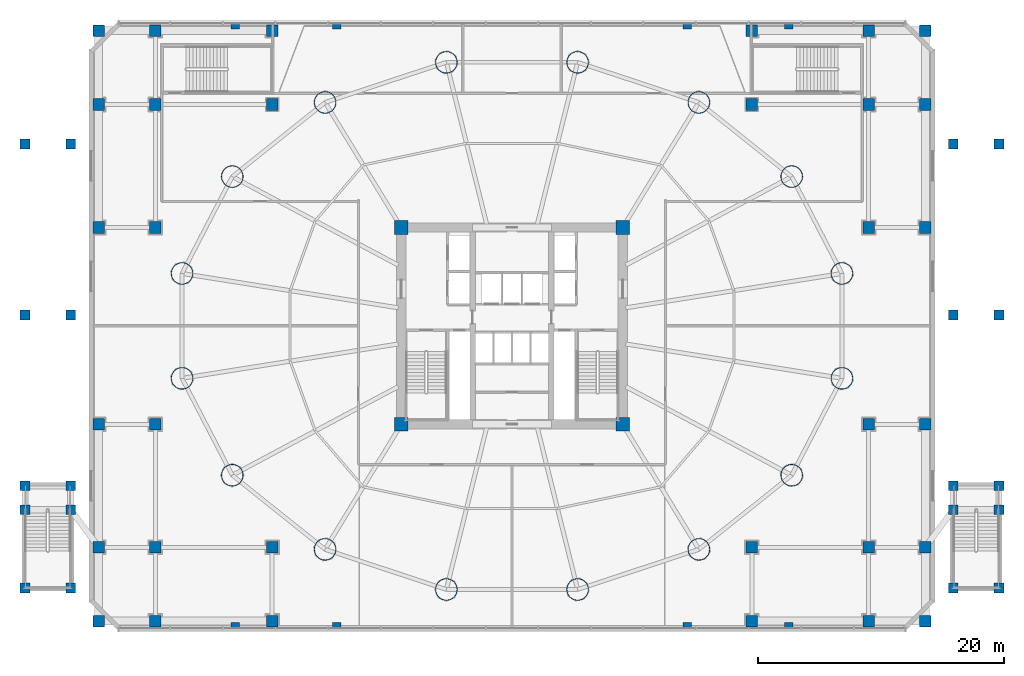
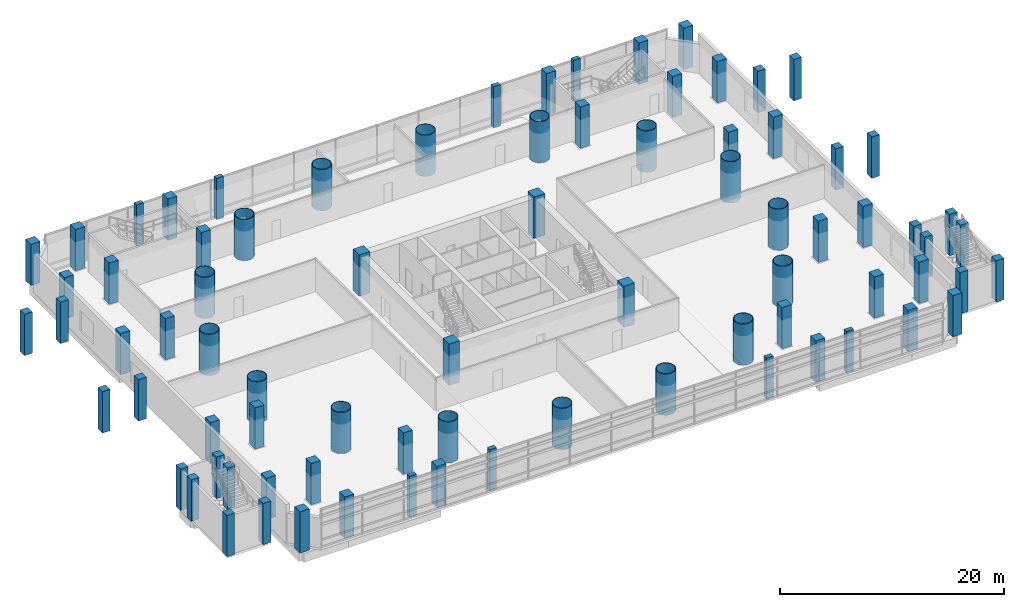
# One storey, part 1 of 36: 80 columns.
"""IFC4 building model written with IfcOpenShell, lengths in metres."""

from ifc_helpers import new_model, si_unit, direction, frame, origin, origin_2d, place, context, subcontext, project, spatial, rectangle, hollow_circle, extrude, material, material_profile, profile_set, type_object, element, save


model = new_model("IFC4")

# Units and contexts
model_context = context("Model", 3, precision=1e-05, world=origin(), true_north=direction((-0.2419218956, 0.970295726276)))
body_context = subcontext(model_context, "Body", "Model", "MODEL_VIEW")
ifc_project = project(units=[si_unit("LENGTHUNIT", "METRE"), si_unit("AREAUNIT", "SQUARE_METRE"), si_unit("VOLUMEUNIT", "CUBIC_METRE"), si_unit("PLANEANGLEUNIT", "RADIAN"), si_unit("MASSUNIT", "GRAM", prefix="KILO")], contexts=[model_context])

# Site, building, storey
site_placement = place(None, origin())
site = spatial("IfcSite", under=ifc_project, at=site_placement, CompositionType="ELEMENT")
building_placement = place(site_placement, origin())
building = spatial("IfcBuilding", under=site, at=building_placement, Name="Cobrevalo Terracotta Tower", CompositionType="ELEMENT")
storey_placement = place(building_placement, frame((0.0, 0.0, 5.39990234375)))
storey = spatial("IfcBuildingStorey", under=building, at=storey_placement, Name="L01", CompositionType="ELEMENT", Elevation=5.39990234375)

# Columns
ifc_material_1 = material(Name="Steel S355", Category="steel")
ifc_material_profile_1 = material_profile(ifc_material_1, hollow_circle(Radius=0.89990234375, WallThickness=0.054931640625, at=origin_2d()), Name="CHS 1800x55")
ifc_profile_set_1 = profile_set([ifc_material_profile_1], Name="Steel S355")
column_type_1 = type_object("IfcColumnType", Name="Structural Column CHS 1800x55 (Steel S355)", PredefinedType="COLUMN", material=ifc_profile_set_1)
for number, where, z_axis, x_axis, name in (
    (1, (64.824462890625, 31.062744140625, 0.0), (0.0, 0.0, 1.0), (1.0, 0.0, 0.0), "L01 composite megacolumn MC01"),
    (2, (60.74072265625, 38.939208984375, 0.0), (0.0, 0.0, 1.0), (1.0, 0.0, 0.0), "L01 composite megacolumn MC02"),
    (3, (53.19482421875, 44.967529296875, 0.0), (0.0, 0.0, 1.0), (1.0, 0.0, 0.0), "L01 composite megacolumn MC03"),
    (4, (43.335693359375, 48.230224609375, 0.0), (0.0, 0.0, 1.0), (1.0, 0.0, 0.0), "L01 composite megacolumn MC04"),
    (5, (32.664306640625, 48.230224609375, 0.0), (0.0, 0.0, 1.0), (1.0, 0.0, 0.0), "L01 composite megacolumn MC05"),
    (6, (22.80517578125, 44.967529296875, 0.0), (0.0, 0.0, 1.0), (1.0, 0.0, 0.0), "L01 composite megacolumn MC06"),
    (7, (15.25927734375, 38.939208984375, 0.0), (0.0, 0.0, 1.0), (1.0, 0.0, 0.0), "L01 composite megacolumn MC07"),
    (8, (11.175537109375, 31.062744140625, 0.0), (0.0, 0.0, 1.0), (1.0, 0.0, 0.0), "L01 composite megacolumn MC08"),
    (9, (11.175537109375, 22.537353515625, 0.0), (0.0, 0.0, 1.0), (1.0, 0.0, 0.0), "L01 composite megacolumn MC09"),
    (10, (15.25927734375, 14.660888671875, 0.0), (0.0, 0.0, 1.0), (1.0, 0.0, 0.0), "L01 composite megacolumn MC10"),
    (11, (22.80517578125, 8.63232421875, 0.0), (0.0, 0.0, 1.0), (1.0, 0.0, 0.0), "L01 composite megacolumn MC11"),
    (12, (32.664306640625, 5.369873046875, 0.0), (0.0, 0.0, 1.0), (1.0, 0.0, 0.0), "L01 composite megacolumn MC12"),
    (13, (43.335693359375, 5.369873046875, 0.0), (0.0, 0.0, 1.0), (1.0, 0.0, 0.0), "L01 composite megacolumn MC13"),
    (14, (53.19482421875, 8.63232421875, 0.0), (0.0, 0.0, 1.0), (1.0, 0.0, 0.0), "L01 composite megacolumn MC14"),
    (15, (60.74072265625, 14.660888671875, 0.0), (0.0, 0.0, 1.0), (1.0, 0.0, 0.0), "L01 composite megacolumn MC15"),
    (16, (64.824462890625, 22.537353515625, 0.0), (0.0, 0.0, 1.0), (1.0, 0.0, 0.0), "L01 composite megacolumn MC16"),
):
    element("IfcColumn", number, at=place(storey_placement, frame(where, z_axis=z_axis, x_axis=x_axis)), inside=storey, type_object=column_type_1, Name=name, PredefinedType="COLUMN", context=body_context, shape_type="SweptSolid", body=[
        extrude(hollow_circle(Radius=0.89990234375, WallThickness=0.054931640625, at=origin_2d()), origin(), (0.0, 0.0, 1.0), 4.5),
    ])
ifc_material_2 = material(Name="Concrete C60", Category="concrete")
ifc_material_profile_2 = material_profile(ifc_material_2, rectangle(XDim=1.10009765625, YDim=1.10009765625, at=origin_2d()), Name="RC COL 1100x1100")
ifc_profile_set_2 = profile_set([ifc_material_profile_2], Name="Concrete C60")
column_type_2 = type_object("IfcColumnType", Name="Structural Column RC COL 1100x1100 (Concrete C60)", PredefinedType="COLUMN", material=ifc_profile_set_2)
for number, where, z_axis, x_axis, name in (
    (17, (29.0, 18.800048828125, 0.0), (0.0, 0.0, 1.0), (1.0, 0.0, 0.0), "L01 core corner column CC1"),
    (18, (47.0, 18.800048828125, 0.0), (0.0, 0.0, 1.0), (1.0, 0.0, 0.0), "L01 core corner column CC2"),
    (19, (47.0, 34.800048828125, 0.0), (0.0, 0.0, 1.0), (1.0, 0.0, 0.0), "L01 core corner column CC3"),
    (20, (29.0, 34.800048828125, 0.0), (0.0, 0.0, 1.0), (1.0, 0.0, 0.0), "L01 core corner column CC4"),
):
    element("IfcColumn", number, at=place(storey_placement, frame(where, z_axis=z_axis, x_axis=x_axis)), inside=storey, type_object=column_type_2, Name=name, PredefinedType="COLUMN", context=body_context, shape_type="SweptSolid", body=[
        extrude(rectangle(XDim=1.10009765625, YDim=1.10009765625, at=origin_2d()), origin(), (0.0, 0.0, 1.0), 4.5),
    ])
ifc_material_3 = material(Name="Concrete C50", Category="concrete")
ifc_material_profile_3 = material_profile(ifc_material_3, rectangle(XDim=0.800048828125, YDim=0.800048828125, at=origin_2d()), Name="RC COL 800x800")
ifc_profile_set_3 = profile_set([ifc_material_profile_3], Name="Concrete C50")
column_type_3 = type_object("IfcColumnType", Name="Structural Column RC COL 800x800 (Concrete C50)", PredefinedType="COLUMN", material=ifc_profile_set_3)
for number, where, z_axis, x_axis, name in (
    (21, (-1.60009765625, 5.5, 0.0), (0.0, 0.0, 1.0), (1.0, 0.0, 0.0), "L01 garden wing column W11"),
    (22, (2.1201171875, 5.5, 0.0), (0.0, 0.0, 1.0), (1.0, 0.0, 0.0), "L01 garden wing column W21"),
    (23, (-1.60009765625, 11.85009765625, 0.0), (0.0, 0.0, 1.0), (1.0, 0.0, 0.0), "L01 garden wing column W12"),
    (24, (2.1201171875, 11.85009765625, 0.0), (0.0, 0.0, 1.0), (1.0, 0.0, 0.0), "L01 garden wing column W22"),
    (25, (-1.60009765625, 13.800048828125, 0.0), (0.0, 0.0, 1.0), (1.0, 0.0, 0.0), "L01 garden wing column W13"),
    (26, (2.1201171875, 13.800048828125, 0.0), (0.0, 0.0, 1.0), (1.0, 0.0, 0.0), "L01 garden wing column W23"),
    (27, (-1.60009765625, 27.699951171875, 0.0), (0.0, 0.0, 1.0), (1.0, 0.0, 0.0), "L01 garden wing column W14"),
    (28, (2.1201171875, 27.699951171875, 0.0), (0.0, 0.0, 1.0), (1.0, 0.0, 0.0), "L01 garden wing column W24"),
    (29, (-1.60009765625, 41.60009765625, 0.0), (0.0, 0.0, 1.0), (1.0, 0.0, 0.0), "L01 garden wing column W15"),
    (30, (2.1201171875, 41.60009765625, 0.0), (0.0, 0.0, 1.0), (1.0, 0.0, 0.0), "L01 garden wing column W25"),
    (31, (73.8798828125, 5.5, 0.0), (0.0, 0.0, 1.0), (1.0, 0.0, 0.0), "L01 garden wing column E11"),
    (32, (77.60009765625, 5.5, 0.0), (0.0, 0.0, 1.0), (1.0, 0.0, 0.0), "L01 garden wing column E21"),
    (33, (73.8798828125, 11.85009765625, 0.0), (0.0, 0.0, 1.0), (1.0, 0.0, 0.0), "L01 garden wing column E12"),
    (34, (77.60009765625, 11.85009765625, 0.0), (0.0, 0.0, 1.0), (1.0, 0.0, 0.0), "L01 garden wing column E22"),
    (35, (73.8798828125, 13.800048828125, 0.0), (0.0, 0.0, 1.0), (1.0, 0.0, 0.0), "L01 garden wing column E13"),
    (36, (77.60009765625, 13.800048828125, 0.0), (0.0, 0.0, 1.0), (1.0, 0.0, 0.0), "L01 garden wing column E23"),
    (37, (73.8798828125, 27.699951171875, 0.0), (0.0, 0.0, 1.0), (1.0, 0.0, 0.0), "L01 garden wing column E14"),
    (38, (77.60009765625, 27.699951171875, 0.0), (0.0, 0.0, 1.0), (1.0, 0.0, 0.0), "L01 garden wing column E24"),
    (39, (73.8798828125, 41.60009765625, 0.0), (0.0, 0.0, 1.0), (1.0, 0.0, 0.0), "L01 garden wing column E15"),
    (40, (77.60009765625, 41.60009765625, 0.0), (0.0, 0.0, 1.0), (1.0, 0.0, 0.0), "L01 garden wing column E25"),
):
    element("IfcColumn", number, at=place(storey_placement, frame(where, z_axis=z_axis, x_axis=x_axis)), inside=storey, type_object=column_type_3, Name=name, PredefinedType="COLUMN", context=body_context, shape_type="SweptSolid", body=[
        extrude(rectangle(XDim=0.800048828125, YDim=0.800048828125, at=origin_2d()), origin(), (0.0, 0.0, 1.0), 4.5),
    ])
ifc_material_4 = material(Name="Concrete C55", Category="concrete")
ifc_material_profile_4 = material_profile(ifc_material_4, rectangle(XDim=0.949951171875, YDim=0.949951171875, at=origin_2d()), Name="RC COL 950x950")
ifc_profile_set_4 = profile_set([ifc_material_profile_4], Name="Concrete C55")
column_type_4 = type_object("IfcColumnType", Name="Structural Column RC COL 950x950 (Concrete C55)", PredefinedType="COLUMN", material=ifc_profile_set_4)
for number, where, z_axis, x_axis, name in (
    (41, (4.39990234375, 2.800048828125, 0.0), (0.0, 0.0, 1.0), (1.0, 0.0, 0.0), "L01 podium column G1-GA"),
    (42, (4.39990234375, 8.800048828125, 0.0), (0.0, 0.0, 1.0), (1.0, 0.0, 0.0), "L01 podium column G1-GB"),
    (43, (4.39990234375, 18.800048828125, 0.0), (0.0, 0.0, 1.0), (1.0, 0.0, 0.0), "L01 podium column G1-GC"),
    (44, (4.39990234375, 34.800048828125, 0.0), (0.0, 0.0, 1.0), (1.0, 0.0, 0.0), "L01 podium column G1-GE"),
    (45, (4.39990234375, 44.800048828125, 0.0), (0.0, 0.0, 1.0), (1.0, 0.0, 0.0), "L01 podium column G1-GF"),
    (46, (4.39990234375, 50.800048828125, 0.0), (0.0, 0.0, 1.0), (1.0, 0.0, 0.0), "L01 podium column G1-GG"),
    (47, (9.0, 2.800048828125, 0.0), (0.0, 0.0, 1.0), (1.0, 0.0, 0.0), "L01 podium column G2-GA"),
    (48, (9.0, 8.800048828125, 0.0), (0.0, 0.0, 1.0), (1.0, 0.0, 0.0), "L01 podium column G2-GB"),
    (49, (9.0, 18.800048828125, 0.0), (0.0, 0.0, 1.0), (1.0, 0.0, 0.0), "L01 podium column G2-GC"),
    (50, (9.0, 34.800048828125, 0.0), (0.0, 0.0, 1.0), (1.0, 0.0, 0.0), "L01 podium column G2-GE"),
    (51, (9.0, 44.800048828125, 0.0), (0.0, 0.0, 1.0), (1.0, 0.0, 0.0), "L01 podium column G2-GF"),
    (52, (9.0, 50.800048828125, 0.0), (0.0, 0.0, 1.0), (1.0, 0.0, 0.0), "L01 podium column G2-GG"),
    (53, (18.5, 2.800048828125, 0.0), (0.0, 0.0, 1.0), (1.0, 0.0, 0.0), "L01 podium column G3-GA"),
    (54, (18.5, 8.800048828125, 0.0), (0.0, 0.0, 1.0), (1.0, 0.0, 0.0), "L01 podium column G3-GB"),
    (55, (18.5, 44.800048828125, 0.0), (0.0, 0.0, 1.0), (1.0, 0.0, 0.0), "L01 podium column G3-GF"),
    (56, (18.5, 50.800048828125, 0.0), (0.0, 0.0, 1.0), (1.0, 0.0, 0.0), "L01 podium column G3-GG"),
    (57, (57.5, 2.800048828125, 0.0), (0.0, 0.0, 1.0), (1.0, 0.0, 0.0), "L01 podium column G7-GA"),
    (58, (57.5, 8.800048828125, 0.0), (0.0, 0.0, 1.0), (1.0, 0.0, 0.0), "L01 podium column G7-GB"),
    (59, (57.5, 44.800048828125, 0.0), (0.0, 0.0, 1.0), (1.0, 0.0, 0.0), "L01 podium column G7-GF"),
    (60, (57.5, 50.800048828125, 0.0), (0.0, 0.0, 1.0), (1.0, 0.0, 0.0), "L01 podium column G7-GG"),
    (61, (67.0, 2.800048828125, 0.0), (0.0, 0.0, 1.0), (1.0, 0.0, 0.0), "L01 podium column G8-GA"),
    (62, (67.0, 8.800048828125, 0.0), (0.0, 0.0, 1.0), (1.0, 0.0, 0.0), "L01 podium column G8-GB"),
    (63, (67.0, 18.800048828125, 0.0), (0.0, 0.0, 1.0), (1.0, 0.0, 0.0), "L01 podium column G8-GC"),
    (64, (67.0, 34.800048828125, 0.0), (0.0, 0.0, 1.0), (1.0, 0.0, 0.0), "L01 podium column G8-GE"),
    (65, (67.0, 44.800048828125, 0.0), (0.0, 0.0, 1.0), (1.0, 0.0, 0.0), "L01 podium column G8-GF"),
    (66, (67.0, 50.800048828125, 0.0), (0.0, 0.0, 1.0), (1.0, 0.0, 0.0), "L01 podium column G8-GG"),
    (67, (71.60009765625, 2.800048828125, 0.0), (0.0, 0.0, 1.0), (1.0, 0.0, 0.0), "L01 podium column G9-GA"),
    (68, (71.60009765625, 8.800048828125, 0.0), (0.0, 0.0, 1.0), (1.0, 0.0, 0.0), "L01 podium column G9-GB"),
    (69, (71.60009765625, 18.800048828125, 0.0), (0.0, 0.0, 1.0), (1.0, 0.0, 0.0), "L01 podium column G9-GC"),
    (70, (71.60009765625, 34.800048828125, 0.0), (0.0, 0.0, 1.0), (1.0, 0.0, 0.0), "L01 podium column G9-GE"),
    (71, (71.60009765625, 44.800048828125, 0.0), (0.0, 0.0, 1.0), (1.0, 0.0, 0.0), "L01 podium column G9-GF"),
    (72, (71.60009765625, 50.800048828125, 0.0), (0.0, 0.0, 1.0), (1.0, 0.0, 0.0), "L01 podium column G9-GG"),
):
    element("IfcColumn", number, at=place(storey_placement, frame(where, z_axis=z_axis, x_axis=x_axis)), inside=storey, type_object=column_type_4, Name=name, PredefinedType="COLUMN", context=body_context, shape_type="SweptSolid", body=[
        extrude(rectangle(XDim=0.949951171875, YDim=0.949951171875, at=origin_2d()), origin(), (0.0, 0.0, 1.0), 4.5),
    ])
ifc_material_profile_5 = material_profile(ifc_material_3, rectangle(XDim=0.699951171875, YDim=0.449951171875, at=origin_2d()), Name="RC PIL 700x450")
ifc_profile_set_5 = profile_set([ifc_material_profile_5], Name="Concrete C50")
column_type_5 = type_object("IfcColumnType", Name="Structural Pilaster RC PIL 700x450 (Concrete C50)", PredefinedType="PILASTER", material=ifc_profile_set_5)
for number, where, z_axis, x_axis, name in (
    (73, (15.5, 2.449951171875, 0.0), (0.0, 0.0, 1.0), (1.0, 0.0, 0.0), "L01 brutalist perimeter pilaster S1"),
    (74, (15.5, 51.14990234375, 0.0), (0.0, 0.0, 1.0), (1.0, 0.0, 0.0), "L01 brutalist perimeter pilaster N1"),
    (75, (23.75, 2.449951171875, 0.0), (0.0, 0.0, 1.0), (1.0, 0.0, 0.0), "L01 brutalist perimeter pilaster S2"),
    (76, (23.75, 51.14990234375, 0.0), (0.0, 0.0, 1.0), (1.0, 0.0, 0.0), "L01 brutalist perimeter pilaster N2"),
    (77, (52.25, 2.449951171875, 0.0), (0.0, 0.0, 1.0), (1.0, 0.0, 0.0), "L01 brutalist perimeter pilaster S3"),
    (78, (52.25, 51.14990234375, 0.0), (0.0, 0.0, 1.0), (1.0, 0.0, 0.0), "L01 brutalist perimeter pilaster N3"),
    (79, (60.5, 2.449951171875, 0.0), (0.0, 0.0, 1.0), (1.0, 0.0, 0.0), "L01 brutalist perimeter pilaster S4"),
    (80, (60.5, 51.14990234375, 0.0), (0.0, 0.0, 1.0), (1.0, 0.0, 0.0), "L01 brutalist perimeter pilaster N4"),
):
    element("IfcColumn", number, at=place(storey_placement, frame(where, z_axis=z_axis, x_axis=x_axis)), inside=storey, type_object=column_type_5, Name=name, PredefinedType="PILASTER", context=body_context, shape_type="SweptSolid", body=[
        extrude(rectangle(XDim=0.699951171875, YDim=0.449951171875, at=origin_2d()), origin(), (0.0, 0.0, 1.0), 4.5),
    ])

save(model, "model.ifc")
